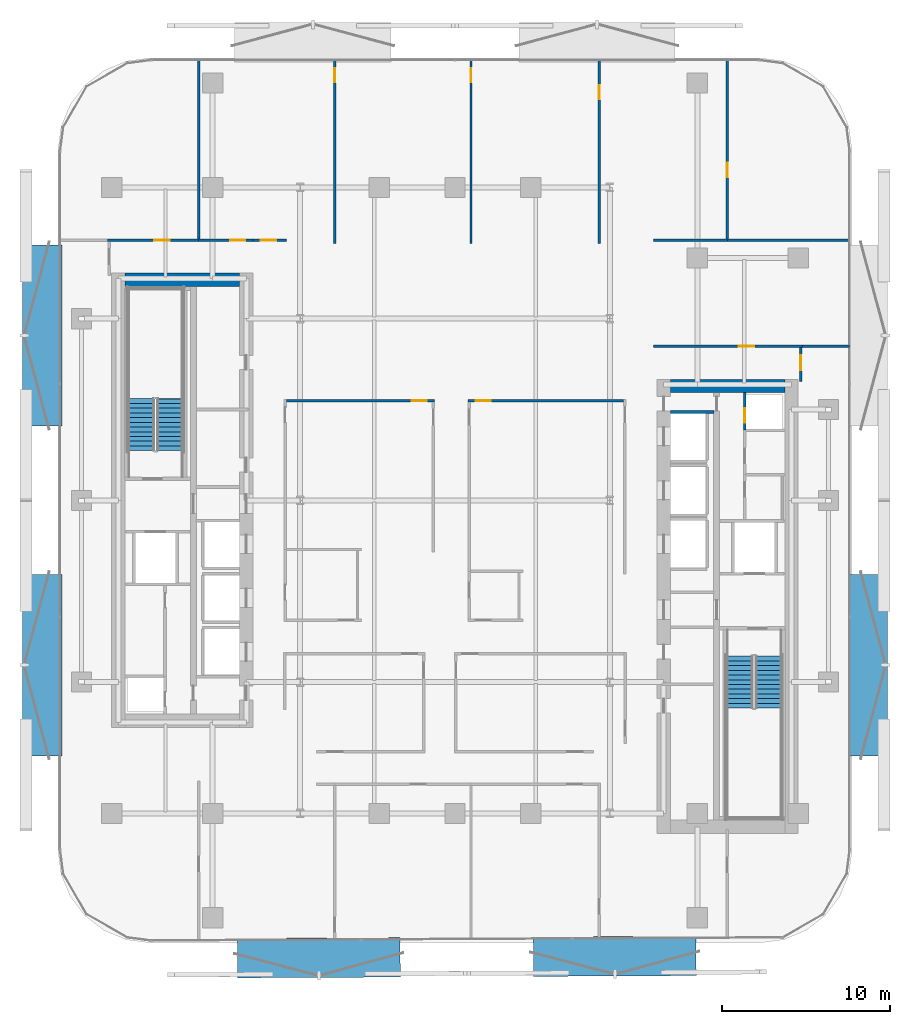
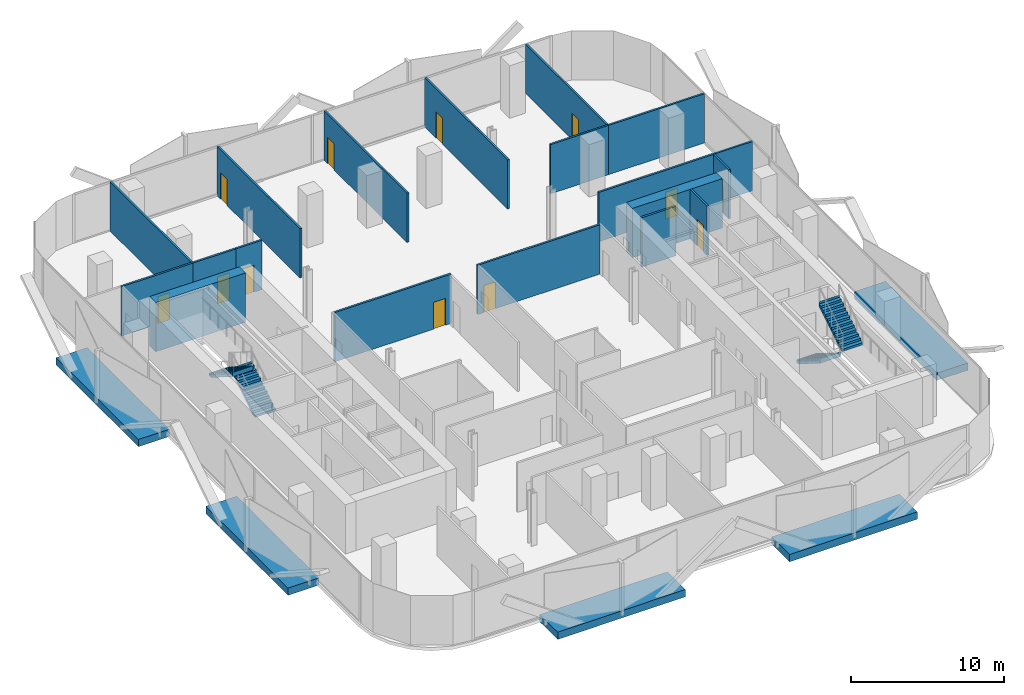
# One storey, part 6 of 16: 19 walls, 12 doors, 5 discrete accessories, 4 stair flights, 12 openings, 2 elements without a shape of their own.
"""IFC4 building model written with IfcOpenShell, lengths in metres."""

from ifc_helpers import new_model, si_unit, direction, frame, frame_2d, origin, origin_2d, place, context, subcontext, project, spatial, polyline, rectangle, outline, extrude, material, layer, layer_set, type_object, element, fill, aggregate, save


model = new_model("IFC4")

# Units and contexts
model_context = context("Model", 3, precision=1e-05, world=origin(), true_north=direction((0.0, 1.0)))
body_context = subcontext(model_context, "Body", "Model", "MODEL_VIEW")
ifc_project = project(units=[si_unit("LENGTHUNIT", "METRE"), si_unit("AREAUNIT", "SQUARE_METRE"), si_unit("VOLUMEUNIT", "CUBIC_METRE"), si_unit("PLANEANGLEUNIT", "RADIAN"), si_unit("MASSUNIT", "GRAM", prefix="KILO")], contexts=[model_context])

# Site, building, storey
site_placement = place(None, origin())
site = spatial("IfcSite", under=ifc_project, at=site_placement, CompositionType="ELEMENT")
building_placement = place(site_placement, origin())
building = spatial("IfcBuilding", under=site, at=building_placement, Name="Khairoan Windgate Tower", CompositionType="ELEMENT")
storey_placement = place(building_placement, frame((0.0, 0.0, 139.39990234375)))
storey = spatial("IfcBuildingStorey", under=building, at=storey_placement, Name="L32", CompositionType="ELEMENT", Elevation=139.39990234375)

# Walls
ifc_material_1 = material(Name="Concrete C40/50", Category="concrete")
ifc_layer_1 = layer(ifc_material_1, 0.159912109375, Name="Concrete C40/50")
ifc_layer_set_1 = layer_set([ifc_layer_1], Name="Concrete C40/50")
wall_type_1 = type_object("IfcWallType", Name="Core and Hoistway Enclosure Wall", PredefinedType="STANDARD", material=ifc_layer_set_1)
wall_1_placement = place(storey_placement, frame((12.800048828125, 5.25, 0.0), z_axis=(0.0, 0.0, 1.0), x_axis=(1.0, 0.0, 0.0)))
element("IfcWall", 1, at=wall_1_placement, inside=storey, type_object=wall_type_1, Name="L32 Core Shaft Wall SW-ESV-L32", PredefinedType="STANDARD", context=body_context, shape_type="SweptSolid", body=[
    extrude(rectangle(XDim=2.599853515625, YDim=0.159912109375, at=frame_2d((1.2998046875, 0.0))), origin(), (0.0, 0.0, 1.0), 3.940185546875),
])
ifc_material_2 = material(Name="Acoustic Fire-Rated Gypsum Partition", Category="gypsum")
ifc_layer_2 = layer(ifc_material_2, 0.139892578125, Name="Acoustic Fire-Rated Gypsum Partition")
ifc_layer_set_2 = layer_set([ifc_layer_2], Name="Acoustic Fire-Rated Gypsum Partition")
wall_type_2 = type_object("IfcWallType", Name="Inter-Tenancy Compartment Wall", PredefinedType="PARTITIONING", material=ifc_layer_set_2)
wall_2_placement = place(storey_placement, frame((20.639892578125, 9.159912109375, 0.0), z_axis=(0.0, 0.0, 1.0), x_axis=(1.0, 0.0, 0.0)))
element("IfcWall", 2, at=wall_2_placement, inside=storey, type_object=wall_type_2, Name="L32 Interior Partition 039", PredefinedType="PARTITIONING", context=body_context, shape_type="SweptSolid", body=[
    extrude(rectangle(XDim=2.815185546875, YDim=0.139892578125, at=frame_2d((1.40771484375, 0.0))), origin(), (0.0, 0.0, 1.0), 3.940185546875),
])
wall_3_placement = place(storey_placement, frame((11.81005859375, 15.4599609375, 0.0), z_axis=(0.0, 0.0, 1.0), x_axis=(1.0, 0.0, 0.0)))
element("IfcWall", 3, at=wall_3_placement, inside=storey, type_object=wall_type_2, Name="L32 Interior Partition 040", PredefinedType="PARTITIONING", context=body_context, shape_type="SweptSolid", body=[
    extrude(rectangle(XDim=4.3740234375, YDim=0.139892578125, at=frame_2d((2.18701171875, 0.0))), origin(), (0.0, 0.0, 1.0), 3.940185546875),
])
wall_4_placement = place(storey_placement, frame((16.18408203125, 15.4599609375, 0.0), z_axis=(0.0, 0.0, 1.0), x_axis=(1.0, 0.0, 0.0)))
element("IfcWall", 4, at=wall_4_placement, inside=storey, type_object=wall_type_2, Name="L32 Interior Partition 041", PredefinedType="PARTITIONING", context=body_context, shape_type="SweptSolid", body=[
    extrude(rectangle(XDim=7.27099609375, YDim=0.139892578125, at=frame_2d((3.635498046875, 0.0))), origin(), (0.0, 0.0, 1.0), 3.940185546875),
])
wall_5_placement = place(storey_placement, frame((-15.23193359375, 15.534912109375, 0.0), z_axis=(0.0, 0.0, 1.0), x_axis=(0.0, 1.0, 0.0)))
element("IfcWall", 5, at=wall_5_placement, inside=storey, type_object=wall_type_2, Name="L32 Interior Partition 042", PredefinedType="PARTITIONING", context=body_context, shape_type="SweptSolid", body=[
    extrude(rectangle(XDim=10.6201171875, YDim=0.139892578125, at=frame_2d((5.31005859375, 0.0))), origin(), (0.0, 0.0, 1.0), 3.940185546875),
])

# Wall, opening, door
wall_6_placement = place(storey_placement, frame((-7.139892578125, 15.280029296875, 0.0), z_axis=(0.0, 0.0, 1.0), x_axis=(0.0, 1.0, 0.0)))
wall_6 = element("IfcWall", 6, at=wall_6_placement, inside=storey, type_object=wall_type_2, Name="L32 Interior Partition 043", PredefinedType="PARTITIONING", context=body_context, shape_type="SweptSolid", body=[
    extrude(rectangle(XDim=10.875, YDim=0.139892578125, at=frame_2d((5.4375, 0.0))), origin(), (0.0, 0.0, 1.0), 3.940185546875),
])
opening_1_placement = place(wall_6_placement, frame((9.56494140625, 0.0, 0.0)))
opening_1 = element("IfcOpeningElement", 7, at=opening_1_placement, cuts=wall_6, Name="Opening FD-SRV", PredefinedType="OPENING", context=body_context, shape_type="SweptSolid", body=[
    extrude(rectangle(XDim=0.85009765625, YDim=2.10009765625, at=frame_2d((0.425048828125, 1.050048828125))), frame((0.0, 0.079833984375, 0.0), z_axis=(0.0, -1.0, 0.0), x_axis=(1.0, 0.0, 0.0)), (0.0, 0.0, 1.0), 0.159912109375),
])
ifc_material_3 = material(Name="Steel S355", Category="steel")
door_type_1 = type_object("IfcDoorType", Name="Core Service and Riser Fire Door FD-SRV 850x2100", OperationType="NOTDEFINED", PredefinedType="DOOR", material=ifc_material_3)
door_1_placement = place(opening_1_placement, origin())
door_1 = element("IfcDoor", 8, at=door_1_placement, inside=storey, type_object=door_type_1, Name="L32 L32-41-L32-42 Door", OperationType="SINGLE_SWING_LEFT", OverallHeight=2.10009765625, OverallWidth=0.85009765625, PredefinedType="DOOR", context=body_context, shape_type="SweptSolid", body=[
    extrude(rectangle(XDim=0.85009765625, YDim=2.10009765625, at=frame_2d((0.425048828125, 1.050048828125))), frame((0.0, 0.02490234375, 0.0), z_axis=(0.0, -1.0, 0.0), x_axis=(1.0, 0.0, 0.0)), (0.0, 0.0, 1.0), 0.050048828125),
])
fill(opening_1, door_1)

wall_7_placement = place(storey_placement, frame((0.951904296875, 15.280029296875, 0.0), z_axis=(0.0, 0.0, 1.0), x_axis=(0.0, 1.0, 0.0)))
wall_7 = element("IfcWall", 9, at=wall_7_placement, inside=storey, type_object=wall_type_2, Name="L32 Interior Partition 044", PredefinedType="PARTITIONING", context=body_context, shape_type="SweptSolid", body=[
    extrude(rectangle(XDim=10.875, YDim=0.139892578125, at=frame_2d((5.4375, 0.0))), origin(), (0.0, 0.0, 1.0), 3.940185546875),
])
opening_2_placement = place(wall_7_placement, frame((9.56494140625, 0.0, 0.0)))
opening_2 = element("IfcOpeningElement", 10, at=opening_2_placement, cuts=wall_7, Name="Opening FD-SRV", PredefinedType="OPENING", context=body_context, shape_type="SweptSolid", body=[
    extrude(rectangle(XDim=0.85009765625, YDim=2.10009765625, at=frame_2d((0.425048828125, 1.050048828125))), frame((0.0, 0.079833984375, 0.0), z_axis=(0.0, -1.0, 0.0), x_axis=(1.0, 0.0, 0.0)), (0.0, 0.0, 1.0), 0.159912109375),
])
door_2_placement = place(opening_2_placement, origin())
door_2 = element("IfcDoor", 11, at=door_2_placement, inside=storey, type_object=door_type_1, Name="L32 L32-42-L32-43 Door", OperationType="SINGLE_SWING_RIGHT", OverallHeight=2.10009765625, OverallWidth=0.85009765625, PredefinedType="DOOR", context=body_context, shape_type="SweptSolid", body=[
    extrude(rectangle(XDim=0.85009765625, YDim=2.10009765625, at=frame_2d((0.425048828125, 1.050048828125))), frame((0.0, 0.02490234375, 0.0), z_axis=(0.0, -1.0, 0.0), x_axis=(1.0, 0.0, 0.0)), (0.0, 0.0, 1.0), 0.050048828125),
])
fill(opening_2, door_2)

wall_8_placement = place(storey_placement, frame((8.568115234375, 15.280029296875, 0.0), z_axis=(0.0, 0.0, 1.0), x_axis=(0.0, 1.0, 0.0)))
wall_8 = element("IfcWall", 12, at=wall_8_placement, inside=storey, type_object=wall_type_2, Name="L32 Interior Partition 045", PredefinedType="PARTITIONING", context=body_context, shape_type="SweptSolid", body=[
    extrude(rectangle(XDim=10.875, YDim=0.139892578125, at=frame_2d((5.4375, 0.0))), origin(), (0.0, 0.0, 1.0), 3.940185546875),
])
opening_3_placement = place(wall_8_placement, frame((8.55322265625, 0.0, 0.0)))
opening_3 = element("IfcOpeningElement", 13, at=opening_3_placement, cuts=wall_8, Name="Opening FD-SRV", PredefinedType="OPENING", context=body_context, shape_type="SweptSolid", body=[
    extrude(rectangle(XDim=0.85009765625, YDim=2.10009765625, at=frame_2d((0.425048828125, 1.050048828125))), frame((0.0, 0.079833984375, 0.0), z_axis=(0.0, -1.0, 0.0), x_axis=(1.0, 0.0, 0.0)), (0.0, 0.0, 1.0), 0.159912109375),
])
door_3_placement = place(opening_3_placement, origin())
door_3 = element("IfcDoor", 14, at=door_3_placement, inside=storey, type_object=door_type_1, Name="L32 L32-43-L32-44 Door", OperationType="SINGLE_SWING_LEFT", OverallHeight=2.10009765625, OverallWidth=0.85009765625, PredefinedType="DOOR", context=body_context, shape_type="SweptSolid", body=[
    extrude(rectangle(XDim=0.85009765625, YDim=2.10009765625, at=frame_2d((0.425048828125, 1.050048828125))), frame((0.0, 0.02490234375, 0.0), z_axis=(0.0, -1.0, 0.0), x_axis=(1.0, 0.0, 0.0)), (0.0, 0.0, 1.0), 0.050048828125),
])
fill(opening_3, door_3)

wall_9_placement = place(storey_placement, frame((16.18408203125, 15.530029296875, 0.0), z_axis=(0.0, 0.0, 1.0), x_axis=(0.0, 1.0, 0.0)))
wall_9 = element("IfcWall", 15, at=wall_9_placement, inside=storey, type_object=wall_type_2, Name="L32 Interior Partition 046", PredefinedType="PARTITIONING", context=body_context, shape_type="SweptSolid", body=[
    extrude(rectangle(XDim=10.625, YDim=0.139892578125, at=frame_2d((5.3125, 0.0))), origin(), (0.0, 0.0, 1.0), 3.940185546875),
])
opening_4_placement = place(wall_9_placement, frame((3.679931640625, 0.0, 0.0)))
opening_4 = element("IfcOpeningElement", 16, at=opening_4_placement, cuts=wall_9, Name="Opening FD-SRV", PredefinedType="OPENING", context=body_context, shape_type="SweptSolid", body=[
    extrude(rectangle(XDim=0.85009765625, YDim=2.10009765625, at=frame_2d((0.425048828125, 1.050048828125))), frame((0.0, 0.079833984375, 0.0), z_axis=(0.0, -1.0, 0.0), x_axis=(1.0, 0.0, 0.0)), (0.0, 0.0, 1.0), 0.159912109375),
])
door_4_placement = place(opening_4_placement, origin())
door_4 = element("IfcDoor", 17, at=door_4_placement, inside=storey, type_object=door_type_1, Name="L32 L32-44-L32-45 Door", OperationType="SINGLE_SWING_RIGHT", OverallHeight=2.10009765625, OverallWidth=0.85009765625, PredefinedType="DOOR", context=body_context, shape_type="SweptSolid", body=[
    extrude(rectangle(XDim=0.85009765625, YDim=2.10009765625, at=frame_2d((0.425048828125, 1.050048828125))), frame((0.0, 0.02490234375, 0.0), z_axis=(0.0, -1.0, 0.0), x_axis=(1.0, 0.0, 0.0)), (0.0, 0.0, 1.0), 0.050048828125),
])
fill(opening_4, door_4)

ifc_material_4 = material(Name="Concrete C40/50", Category="concrete")
ifc_layer_3 = layer(ifc_material_4, 0.159912109375, Name="Concrete C40/50")
ifc_layer_set_3 = layer_set([ifc_layer_3], Name="Concrete C40/50")
wall_type_3 = type_object("IfcWallType", Name="Plant and Refuge Compartment Wall", PredefinedType="PARTITIONING", material=ifc_layer_set_3)
wall_10_placement = place(storey_placement, frame((17.22998046875, 4.169921875, 0.0), z_axis=(0.0, 0.0, 1.0), x_axis=(0.0, 1.0, 0.0)))
wall_10 = element("IfcWall", 18, at=wall_10_placement, inside=storey, type_object=wall_type_3, Name="L32 Interior Partition 005", PredefinedType="PARTITIONING", context=body_context, shape_type="SweptSolid", body=[
    extrude(rectangle(XDim=2.22998046875, YDim=0.159912109375, at=frame_2d((1.114990234375, 0.0))), origin(), (0.0, 0.0, 1.0), 3.940185546875),
])
opening_5_placement = place(wall_10_placement, frame((0.4599609375, 0.0, 0.0)))
opening_5 = element("IfcOpeningElement", 19, at=opening_5_placement, cuts=wall_10, Name="Opening FD-SRV", PredefinedType="OPENING", context=body_context, shape_type="SweptSolid", body=[
    extrude(rectangle(XDim=0.85009765625, YDim=2.10009765625, at=frame_2d((0.425048828125, 1.050048828125))), frame((0.0, 0.08984375, 0.0), z_axis=(0.0, -1.0, 0.0), x_axis=(1.0, 0.0, 0.0)), (0.0, 0.0, 1.0), 0.179931640625),
])
door_5_placement = place(opening_5_placement, origin())
door_5 = element("IfcDoor", 20, at=door_5_placement, inside=storey, type_object=door_type_1, Name="L32 L32-17-L32-18 Door", OperationType="SINGLE_SWING_LEFT", OverallHeight=2.10009765625, OverallWidth=0.85009765625, PredefinedType="DOOR", context=body_context, shape_type="SweptSolid", body=[
    extrude(rectangle(XDim=0.85009765625, YDim=2.10009765625, at=frame_2d((0.425048828125, 1.050048828125))), frame((0.0, 0.02490234375, 0.0), z_axis=(0.0, -1.0, 0.0), x_axis=(1.0, 0.0, 0.0)), (0.0, 0.0, 1.0), 0.050048828125),
])
fill(opening_5, door_5)

ifc_material_5 = material(Name="Acoustic Fire-Rated Gypsum Partition", Category="gypsum")
ifc_layer_4 = layer(ifc_material_5, 0.14990234375, Name="Acoustic Fire-Rated Gypsum Partition")
ifc_layer_set_4 = layer_set([ifc_layer_4], Name="Acoustic Fire-Rated Gypsum Partition")
wall_type_4 = type_object("IfcWallType", Name="Rated Corridor Partition Wall", PredefinedType="PARTITIONING", material=ifc_layer_set_4)
wall_11_placement = place(storey_placement, frame((-11.989990234375, 15.4599609375, 0.0), z_axis=(0.0, 0.0, 1.0), x_axis=(1.0, 0.0, 0.0)))
wall_11 = element("IfcWall", 21, at=wall_11_placement, inside=storey, type_object=wall_type_4, Name="L32 Interior Partition 011", PredefinedType="PARTITIONING", context=body_context, shape_type="SweptSolid", body=[
    extrude(rectangle(XDim=1.97998046875, YDim=0.14990234375, at=frame_2d((0.989990234375, 0.0))), origin(), (0.0, 0.0, 1.0), 3.940185546875),
])
opening_6_placement = place(wall_11_placement, frame((0.4599609375, 0.0, 0.0)))
opening_6 = element("IfcOpeningElement", 22, at=opening_6_placement, cuts=wall_11, Name="Opening FD-ENT", PredefinedType="OPENING", context=body_context, shape_type="SweptSolid", body=[
    extrude(rectangle(XDim=0.89990234375, YDim=2.14990234375, at=frame_2d((0.449951171875, 1.074951171875))), frame((0.0, 0.0849609375, 0.0), z_axis=(0.0, -1.0, 0.0), x_axis=(1.0, 0.0, 0.0)), (0.0, 0.0, 1.0), 0.169921875),
])
ifc_material_6 = material(Name="Timber Fire-Rated Core", Category="wood")
door_type_2 = type_object("IfcDoorType", Name="Unit and Office Fire Entrance Door FD-ENT 900x2150", OperationType="NOTDEFINED", PredefinedType="DOOR", material=ifc_material_6)
door_6_placement = place(opening_6_placement, origin())
door_6 = element("IfcDoor", 23, at=door_6_placement, inside=storey, type_object=door_type_2, Name="L32 L32-28-L32-41 Door", OperationType="SINGLE_SWING_RIGHT", OverallHeight=2.14990234375, OverallWidth=0.89990234375, PredefinedType="DOOR", context=body_context, shape_type="SweptSolid", body=[
    extrude(rectangle(XDim=0.89990234375, YDim=2.14990234375, at=frame_2d((0.449951171875, 1.074951171875))), frame((0.0, 0.02490234375, 0.0), z_axis=(0.0, -1.0, 0.0), x_axis=(1.0, 0.0, 0.0)), (0.0, 0.0, 1.0), 0.050048828125),
])
fill(opening_6, door_6)

wall_12_placement = place(storey_placement, frame((0.780029296875, 5.919921875, 0.0), z_axis=(0.0, 0.0, 1.0), x_axis=(1.0, 0.0, 0.0)))
wall_12 = element("IfcWall", 24, at=wall_12_placement, inside=storey, type_object=wall_type_4, Name="L32 Interior Partition 017", PredefinedType="PARTITIONING", context=body_context, shape_type="SweptSolid", body=[
    extrude(rectangle(XDim=9.244873046875, YDim=0.14990234375, at=frame_2d((4.62255859375, 0.0))), origin(), (0.0, 0.0, 1.0), 3.940185546875),
])
opening_7_placement = place(wall_12_placement, frame((0.4599609375, 0.0, 0.0)))
opening_7 = element("IfcOpeningElement", 25, at=opening_7_placement, cuts=wall_12, Name="Opening FD-ENT", PredefinedType="OPENING", context=body_context, shape_type="SweptSolid", body=[
    extrude(rectangle(XDim=0.89990234375, YDim=2.14990234375, at=frame_2d((0.449951171875, 1.074951171875))), frame((0.0, 0.0849609375, 0.0), z_axis=(0.0, -1.0, 0.0), x_axis=(1.0, 0.0, 0.0)), (0.0, 0.0, 1.0), 0.169921875),
])
door_7_placement = place(opening_7_placement, origin())
door_7 = element("IfcDoor", 26, at=door_7_placement, inside=storey, type_object=door_type_2, Name="L32 L32-30-L32-53 Door", OperationType="SINGLE_SWING_RIGHT", OverallHeight=2.14990234375, OverallWidth=0.89990234375, PredefinedType="DOOR", context=body_context, shape_type="SweptSolid", body=[
    extrude(rectangle(XDim=0.89990234375, YDim=2.14990234375, at=frame_2d((0.449951171875, 1.074951171875))), frame((0.0, 0.02490234375, 0.0), z_axis=(0.0, -1.0, 0.0), x_axis=(1.0, 0.0, 0.0)), (0.0, 0.0, 1.0), 0.050048828125),
])
fill(opening_7, door_7)

wall_13_placement = place(storey_placement, frame((-10.02490234375, 5.919921875, 0.0), z_axis=(0.0, 0.0, 1.0), x_axis=(1.0, 0.0, 0.0)))
wall_13 = element("IfcWall", 27, at=wall_13_placement, inside=storey, type_object=wall_type_4, Name="L32 Interior Partition 018", PredefinedType="PARTITIONING", context=body_context, shape_type="SweptSolid", body=[
    extrude(rectangle(XDim=8.81982421875, YDim=0.14990234375, at=frame_2d((4.409912109375, 0.0))), origin(), (0.0, 0.0, 1.0), 3.940185546875),
])
opening_8_placement = place(wall_13_placement, frame((7.4599609375, 0.0, 0.0)))
opening_8 = element("IfcOpeningElement", 28, at=opening_8_placement, cuts=wall_13, Name="Opening FD-ENT", PredefinedType="OPENING", context=body_context, shape_type="SweptSolid", body=[
    extrude(rectangle(XDim=0.89990234375, YDim=2.14990234375, at=frame_2d((0.449951171875, 1.074951171875))), frame((0.0, 0.0849609375, 0.0), z_axis=(0.0, -1.0, 0.0), x_axis=(1.0, 0.0, 0.0)), (0.0, 0.0, 1.0), 0.169921875),
])
door_8_placement = place(opening_8_placement, origin())
door_8 = element("IfcDoor", 29, at=door_8_placement, inside=storey, type_object=door_type_2, Name="L32 L32-30-L32-55 Door", OperationType="SINGLE_SWING_LEFT", OverallHeight=2.14990234375, OverallWidth=0.89990234375, PredefinedType="DOOR", context=body_context, shape_type="SweptSolid", body=[
    extrude(rectangle(XDim=0.89990234375, YDim=2.14990234375, at=frame_2d((0.449951171875, 1.074951171875))), frame((0.0, 0.02490234375, 0.0), z_axis=(0.0, -1.0, 0.0), x_axis=(1.0, 0.0, 0.0)), (0.0, 0.0, 1.0), 0.050048828125),
])
fill(opening_8, door_8)

wall_14_placement = place(storey_placement, frame((-20.639892578125, 15.4599609375, 0.0), z_axis=(0.0, 0.0, 1.0), x_axis=(1.0, 0.0, 0.0)))
wall_14 = element("IfcWall", 30, at=wall_14_placement, inside=storey, type_object=wall_type_4, Name="L32 Interior Partition 027", PredefinedType="PARTITIONING", context=body_context, shape_type="SweptSolid", body=[
    extrude(rectangle(XDim=5.407958984375, YDim=0.14990234375, at=frame_2d((2.7041015625, 0.0))), origin(), (0.0, 0.0, 1.0), 3.940185546875),
])
opening_9_placement = place(wall_14_placement, frame((2.781494140625, 0.0, 0.0)))
opening_9 = element("IfcOpeningElement", 31, at=opening_9_placement, cuts=wall_14, Name="Opening FD-ENT", PredefinedType="OPENING", context=body_context, shape_type="SweptSolid", body=[
    extrude(rectangle(XDim=0.89990234375, YDim=2.14990234375, at=frame_2d((0.449951171875, 1.074951171875))), frame((0.0, 0.0849609375, 0.0), z_axis=(0.0, -1.0, 0.0), x_axis=(1.0, 0.0, 0.0)), (0.0, 0.0, 1.0), 0.169921875),
])
door_9_placement = place(opening_9_placement, origin())
door_9 = element("IfcDoor", 32, at=door_9_placement, inside=storey, type_object=door_type_2, Name="L32 L32-33-L32-40 Door", OperationType="SINGLE_SWING_RIGHT", OverallHeight=2.14990234375, OverallWidth=0.89990234375, PredefinedType="DOOR", context=body_context, shape_type="SweptSolid", body=[
    extrude(rectangle(XDim=0.89990234375, YDim=2.14990234375, at=frame_2d((0.449951171875, 1.074951171875))), frame((0.0, 0.02490234375, 0.0), z_axis=(0.0, -1.0, 0.0), x_axis=(1.0, 0.0, 0.0)), (0.0, 0.0, 1.0), 0.050048828125),
])
fill(opening_9, door_9)

wall_15_placement = place(storey_placement, frame((-15.23193359375, 15.4599609375, 0.0), z_axis=(0.0, 0.0, 1.0), x_axis=(1.0, 0.0, 0.0)))
wall_15 = element("IfcWall", 33, at=wall_15_placement, inside=storey, type_object=wall_type_4, Name="L32 Interior Partition 028", PredefinedType="PARTITIONING", context=body_context, shape_type="SweptSolid", body=[
    extrude(rectangle(XDim=3.241943359375, YDim=0.14990234375, at=frame_2d((1.62109375, 0.0))), origin(), (0.0, 0.0, 1.0), 3.940185546875),
])
opening_10_placement = place(wall_15_placement, frame((1.882080078125, 0.0, 0.0)))
opening_10 = element("IfcOpeningElement", 34, at=opening_10_placement, cuts=wall_15, Name="Opening FD-ENT", PredefinedType="OPENING", context=body_context, shape_type="SweptSolid", body=[
    extrude(rectangle(XDim=0.89990234375, YDim=2.14990234375, at=frame_2d((0.449951171875, 1.074951171875))), frame((0.0, 0.0849609375, 0.0), z_axis=(0.0, -1.0, 0.0), x_axis=(1.0, 0.0, 0.0)), (0.0, 0.0, 1.0), 0.169921875),
])
door_10_placement = place(opening_10_placement, origin())
door_10 = element("IfcDoor", 35, at=door_10_placement, inside=storey, type_object=door_type_2, Name="L32 L32-33-L32-41 Door", OperationType="SINGLE_SWING_LEFT", OverallHeight=2.14990234375, OverallWidth=0.89990234375, PredefinedType="DOOR", context=body_context, shape_type="SweptSolid", body=[
    extrude(rectangle(XDim=0.89990234375, YDim=2.14990234375, at=frame_2d((0.449951171875, 1.074951171875))), frame((0.0, 0.02490234375, 0.0), z_axis=(0.0, -1.0, 0.0), x_axis=(1.0, 0.0, 0.0)), (0.0, 0.0, 1.0), 0.050048828125),
])
fill(opening_10, door_10)

wall_16_placement = place(storey_placement, frame((20.5400390625, 7.06005859375, 0.0), z_axis=(0.0, 0.0, 1.0), x_axis=(0.0, 1.0, 0.0)))
wall_16 = element("IfcWall", 36, at=wall_16_placement, inside=storey, type_object=wall_type_4, Name="L32 Interior Partition 029", PredefinedType="PARTITIONING", context=body_context, shape_type="SweptSolid", body=[
    extrude(rectangle(XDim=2.02490234375, YDim=0.14990234375, at=frame_2d((1.012451171875, 0.0))), origin(), (0.0, 0.0, 1.0), 3.940185546875),
])
opening_11_placement = place(wall_16_placement, frame((0.6650390625, 0.0, 0.0)))
opening_11 = element("IfcOpeningElement", 37, at=opening_11_placement, cuts=wall_16, Name="Opening FD-ENT", PredefinedType="OPENING", context=body_context, shape_type="SweptSolid", body=[
    extrude(rectangle(XDim=0.89990234375, YDim=2.14990234375, at=frame_2d((0.449951171875, 1.074951171875))), frame((0.0, 0.0849609375, 0.0), z_axis=(0.0, -1.0, 0.0), x_axis=(1.0, 0.0, 0.0)), (0.0, 0.0, 1.0), 0.169921875),
])
door_11_placement = place(opening_11_placement, origin())
door_11 = element("IfcDoor", 38, at=door_11_placement, inside=storey, type_object=door_type_2, Name="L32 L32-34-L32-38 Door", OperationType="SINGLE_SWING_RIGHT", OverallHeight=2.14990234375, OverallWidth=0.89990234375, PredefinedType="DOOR", context=body_context, shape_type="SweptSolid", body=[
    extrude(rectangle(XDim=0.89990234375, YDim=2.14990234375, at=frame_2d((0.449951171875, 1.074951171875))), frame((0.0, 0.02490234375, 0.0), z_axis=(0.0, -1.0, 0.0), x_axis=(1.0, 0.0, 0.0)), (0.0, 0.0, 1.0), 0.050048828125),
])
fill(opening_11, door_11)

wall_17_placement = place(storey_placement, frame((11.81005859375, 9.159912109375, 0.0), z_axis=(0.0, 0.0, 1.0), x_axis=(1.0, 0.0, 0.0)))
wall_17 = element("IfcWall", 39, at=wall_17_placement, inside=storey, type_object=wall_type_4, Name="L32 Interior Partition 030", PredefinedType="PARTITIONING", context=body_context, shape_type="SweptSolid", body=[
    extrude(rectangle(XDim=8.829833984375, YDim=0.14990234375, at=frame_2d((4.4150390625, 0.0))), origin(), (0.0, 0.0, 1.0), 3.940185546875),
])
opening_12_placement = place(wall_17_placement, frame((5.066650390625, 0.0, 0.0)))
opening_12 = element("IfcOpeningElement", 40, at=opening_12_placement, cuts=wall_17, Name="Opening FD-ENT", PredefinedType="OPENING", context=body_context, shape_type="SweptSolid", body=[
    extrude(rectangle(XDim=0.89990234375, YDim=2.14990234375, at=frame_2d((0.449951171875, 1.074951171875))), frame((0.0, 0.0849609375, 0.0), z_axis=(0.0, -1.0, 0.0), x_axis=(1.0, 0.0, 0.0)), (0.0, 0.0, 1.0), 0.169921875),
])
door_12_placement = place(opening_12_placement, origin())
door_12 = element("IfcDoor", 41, at=door_12_placement, inside=storey, type_object=door_type_2, Name="L32 L32-34-L32-39 Door", OperationType="SINGLE_SWING_LEFT", OverallHeight=2.14990234375, OverallWidth=0.89990234375, PredefinedType="DOOR", context=body_context, shape_type="SweptSolid", body=[
    extrude(rectangle(XDim=0.89990234375, YDim=2.14990234375, at=frame_2d((0.449951171875, 1.074951171875))), frame((0.0, 0.02490234375, 0.0), z_axis=(0.0, -1.0, 0.0), x_axis=(1.0, 0.0, 0.0)), (0.0, 0.0, 1.0), 0.050048828125),
])
fill(opening_12, door_12)

# Walls
ifc_material_7 = material(Name="Concrete C70/85", Category="concrete")
ifc_layer_5 = layer(ifc_material_7, 0.800048828125, Name="Concrete C70/85")
ifc_layer_set_5 = layer_set([ifc_layer_5], Name="Concrete C70/85")
wall_type_5 = type_object("IfcWallType", Name="Shear Wall CW-E1 800mm", PredefinedType="SHEAR", material=ifc_layer_set_5)
wall_18_placement = place(storey_placement, frame((12.800048828125, 6.800048828125, 0.0), z_axis=(0.0, 0.0, 1.0), x_axis=(1.0, 0.0, 0.0)))
element("IfcWall", 42, at=wall_18_placement, inside=storey, type_object=wall_type_5, Name="E Core North Shear Wall L32", PredefinedType="SHEAR", context=body_context, shape_type="SweptSolid", body=[
    extrude(rectangle(XDim=6.800048828125, YDim=0.800048828125, at=frame_2d((3.39990234375, 0.0))), origin(), (0.0, 0.0, 1.0), 3.940185546875),
])
ifc_material_8 = material(Name="Concrete C70/85", Category="concrete")
ifc_layer_6 = layer(ifc_material_8, 0.800048828125, Name="Concrete C70/85")
ifc_layer_set_6 = layer_set([ifc_layer_6], Name="Concrete C70/85")
wall_type_6 = type_object("IfcWallType", Name="Shear Wall CW-W1 800mm", PredefinedType="SHEAR", material=ifc_layer_set_6)
wall_19_placement = place(storey_placement, frame((-19.60009765625, 13.10009765625, 0.0), z_axis=(0.0, 0.0, 1.0), x_axis=(1.0, 0.0, 0.0)))
element("IfcWall", 43, at=wall_19_placement, inside=storey, type_object=wall_type_6, Name="W Core North Shear Wall L32", PredefinedType="SHEAR", context=body_context, shape_type="SweptSolid", body=[
    extrude(rectangle(XDim=6.800048828125, YDim=0.800048828125, at=frame_2d((3.39990234375, 0.0))), origin(), (0.0, 0.0, 1.0), 3.940185546875),
])

# Stair, stair flights
ifc_material_9 = material(Name="Concrete C40/50", Category="concrete")
stair_type = type_object("IfcStairType", Name="Tower Core Dog-Leg Stair ST-T1 1560mm", PredefinedType="HALF_TURN_STAIR", material=ifc_material_9)
stair_1_placement = place(storey_placement, origin())
stair_1 = element("IfcStair", 44, at=stair_1_placement, inside=storey, type_object=stair_type, Name="L32 Stair ST1", PredefinedType="HALF_TURN_STAIR")
ifc_material_10 = material(Name="Concrete C40/50", Category="concrete")
ifc_layer_7 = layer(ifc_material_10, 0.14990234375, Name="Concrete C40/50")
ifc_layer_set_7 = layer_set([ifc_layer_7], Name="Concrete C40/50")
stair_flight_type = type_object("IfcStairFlightType", Name="Tower Core Stair Flight STF-1560", PredefinedType="STRAIGHT", material=ifc_layer_set_7)
stair_flight_1_placement = place(storey_placement, frame((16.929931640625, -9.260009765625, 0.0), z_axis=(0.0, 0.0, 1.0), x_axis=(0.0, -1.0, 0.0)))
stair_flight_1 = element("IfcStairFlight", 45, at=stair_flight_1_placement, type_object=stair_flight_type, Name="ST1 flight 1", NumberOfRisers=12, NumberOfTreads=11, PredefinedType="STRAIGHT", RiserHeight=0.175, TreadLength=0.28, context=body_context, shape_type="SweptSolid", body=[
    extrude(outline(polyline([(-0.00390625, 0.0), (-0.00390625, 0.175048828125), (0.0, 0.175048828125), (0.280029296875, 0.175048828125), (0.280029296875, 0.35009765625), (0.56005859375, 0.35009765625), (0.56005859375, 0.52490234375), (0.840087890625, 0.52490234375), (0.840087890625, 0.699951171875), (1.1201171875, 0.699951171875), (1.1201171875, 0.875), (1.39990234375, 0.875), (1.39990234375, 1.050048828125), (1.679931640625, 1.050048828125), (1.679931640625, 1.22509765625), (1.9599609375, 1.22509765625), (1.9599609375, 1.39990234375), (2.239990234375, 1.39990234375), (2.239990234375, 1.574951171875), (2.52001953125, 1.574951171875), (2.52001953125, 1.75), (2.800048828125, 1.75), (2.800048828125, 1.925048828125), (3.080078125, 1.925048828125), (3.080078125, 2.10009765625), (3.083984375, 2.10009765625), (3.083984375, 1.748291015625), (0.28271484375, 0.0), (-0.00390625, 0.0)])), frame((0.0, 0.780029296875, 0.0), z_axis=(0.0, -1.0, 0.0), x_axis=(1.0, 0.0, 0.0)), (0.0, 0.0, 1.0), 1.56005859375),
])
stair_flight_2_placement = place(storey_placement, frame((18.639892578125, -12.340087890625, 2.10009765625), z_axis=(0.0, 0.0, 1.0), x_axis=(0.0, 1.0, 0.0)))
stair_flight_2 = element("IfcStairFlight", 46, at=stair_flight_2_placement, type_object=stair_flight_type, Name="ST1 flight 2", NumberOfRisers=12, NumberOfTreads=11, PredefinedType="STRAIGHT", RiserHeight=0.175, TreadLength=0.28, context=body_context, shape_type="SweptSolid", body=[
    extrude(outline(polyline([(-0.00390625, 0.0), (-0.00390625, 0.175048828125), (0.0, 0.175048828125), (0.280029296875, 0.175048828125), (0.280029296875, 0.35009765625), (0.56005859375, 0.35009765625), (0.56005859375, 0.52490234375), (0.840087890625, 0.52490234375), (0.840087890625, 0.699951171875), (1.1201171875, 0.699951171875), (1.1201171875, 0.875), (1.39990234375, 0.875), (1.39990234375, 1.050048828125), (1.679931640625, 1.050048828125), (1.679931640625, 1.22509765625), (1.9599609375, 1.22509765625), (1.9599609375, 1.39990234375), (2.239990234375, 1.39990234375), (2.239990234375, 1.574951171875), (2.52001953125, 1.574951171875), (2.52001953125, 1.75), (2.800048828125, 1.75), (2.800048828125, 1.925048828125), (3.080078125, 1.925048828125), (3.080078125, 2.10009765625), (3.083984375, 2.10009765625), (3.083984375, 1.748291015625), (0.28271484375, 0.0), (-0.00390625, 0.0)])), frame((0.0, 0.780029296875, 0.0), z_axis=(0.0, -1.0, 0.0), x_axis=(1.0, 0.0, 0.0)), (0.0, 0.0, 1.0), 1.56005859375),
])
aggregate(stair_1, [stair_flight_1, stair_flight_2])

stair_2_placement = place(storey_placement, origin())
stair_2 = element("IfcStair", 47, at=stair_2_placement, inside=storey, type_object=stair_type, Name="L32 Stair ST2", PredefinedType="HALF_TURN_STAIR")
stair_flight_3_placement = place(storey_placement, frame((-16.929931640625, 2.9599609375, 0.0), z_axis=(0.0, 0.0, 1.0), x_axis=(0.0, 1.0, 0.0)))
stair_flight_3 = element("IfcStairFlight", 48, at=stair_flight_3_placement, type_object=stair_flight_type, Name="ST2 flight 1", NumberOfRisers=12, NumberOfTreads=11, PredefinedType="STRAIGHT", RiserHeight=0.175, TreadLength=0.28, context=body_context, shape_type="SweptSolid", body=[
    extrude(outline(polyline([(-0.00390625, 0.0), (-0.00390625, 0.175048828125), (0.0, 0.175048828125), (0.280029296875, 0.175048828125), (0.280029296875, 0.35009765625), (0.56005859375, 0.35009765625), (0.56005859375, 0.52490234375), (0.840087890625, 0.52490234375), (0.840087890625, 0.699951171875), (1.1201171875, 0.699951171875), (1.1201171875, 0.875), (1.39990234375, 0.875), (1.39990234375, 1.050048828125), (1.679931640625, 1.050048828125), (1.679931640625, 1.22509765625), (1.9599609375, 1.22509765625), (1.9599609375, 1.39990234375), (2.239990234375, 1.39990234375), (2.239990234375, 1.574951171875), (2.52001953125, 1.574951171875), (2.52001953125, 1.75), (2.800048828125, 1.75), (2.800048828125, 1.925048828125), (3.080078125, 1.925048828125), (3.080078125, 2.10009765625), (3.083984375, 2.10009765625), (3.083984375, 1.748291015625), (0.28271484375, 0.0), (-0.00390625, 0.0)])), frame((0.0, 0.780029296875, 0.0), z_axis=(0.0, -1.0, 0.0), x_axis=(1.0, 0.0, 0.0)), (0.0, 0.0, 1.0), 1.56005859375),
])
stair_flight_4_placement = place(storey_placement, frame((-18.639892578125, 6.0400390625, 2.10009765625), z_axis=(0.0, 0.0, 1.0), x_axis=(0.0, -1.0, 0.0)))
stair_flight_4 = element("IfcStairFlight", 49, at=stair_flight_4_placement, type_object=stair_flight_type, Name="ST2 flight 2", NumberOfRisers=12, NumberOfTreads=11, PredefinedType="STRAIGHT", RiserHeight=0.175, TreadLength=0.28, context=body_context, shape_type="SweptSolid", body=[
    extrude(outline(polyline([(-0.00390625, 0.0), (-0.00390625, 0.175048828125), (0.0, 0.175048828125), (0.280029296875, 0.175048828125), (0.280029296875, 0.35009765625), (0.56005859375, 0.35009765625), (0.56005859375, 0.52490234375), (0.840087890625, 0.52490234375), (0.840087890625, 0.699951171875), (1.1201171875, 0.699951171875), (1.1201171875, 0.875), (1.39990234375, 0.875), (1.39990234375, 1.050048828125), (1.679931640625, 1.050048828125), (1.679931640625, 1.22509765625), (1.9599609375, 1.22509765625), (1.9599609375, 1.39990234375), (2.239990234375, 1.39990234375), (2.239990234375, 1.574951171875), (2.52001953125, 1.574951171875), (2.52001953125, 1.75), (2.800048828125, 1.75), (2.800048828125, 1.925048828125), (3.080078125, 1.925048828125), (3.080078125, 2.10009765625), (3.083984375, 2.10009765625), (3.083984375, 1.748291015625), (0.28271484375, 0.0), (-0.00390625, 0.0)])), frame((0.0, 0.780029296875, 0.0), z_axis=(0.0, -1.0, 0.0), x_axis=(1.0, 0.0, 0.0)), (0.0, 0.0, 1.0), 1.56005859375),
])
aggregate(stair_2, [stair_flight_3, stair_flight_4])

# Discrete accessories
ifc_material_11 = material(Name="Steel S355", Category="steel")
discrete_accessory_type = type_object("IfcDiscreteAccessoryType", Name="Solar Screen Outrigger Slab Bracket SSB-1", PredefinedType="BRACKET", material=ifc_material_11)
for number, where, z_axis, x_axis, name in (
    (50, (9.497802734375, -27.09521484375, -0.419921875), (0.0, 0.0, 1.0), (-0.999988059021, -0.004886902454, 0.0), "L32 Solar Screen Outrigger Bracket 201"),
    (51, (-8.091064453125, -27.18115234375, -0.419921875), (0.0, 0.0, 1.0), (-0.999988059021, -0.004886902454, 0.0), "L32 Solar Screen Outrigger Bracket 202"),
):
    element("IfcDiscreteAccessory", number, at=place(storey_placement, frame(where, z_axis=z_axis, x_axis=x_axis)), inside=storey, type_object=discrete_accessory_type, Name=name, PredefinedType="BRACKET", context=body_context, shape_type="SweptSolid", body=[
        extrude(rectangle(XDim=9.674072265625, YDim=2.340087890625, at=origin_2d()), origin(), (0.0, 0.0, 1.0), 0.580078125),
    ])
for number, where, z_axis, x_axis, name in (
    (52, (-24.530029296875, -9.79541015625, -0.419921875), (0.0, 0.0, 1.0), (0.0, 1.0, 0.0), "L32 Solar Screen Outrigger Bracket 203"),
    (53, (-24.530029296875, 9.79541015625, -0.419921875), (0.0, 0.0, 1.0), (0.0, 1.0, 0.0), "L32 Solar Screen Outrigger Bracket 204"),
    (54, (24.530029296875, -9.79541015625, -0.419921875), (0.0, 0.0, 1.0), (0.0, -1.0, 0.0), "L32 Solar Screen Outrigger Bracket 208"),
):
    element("IfcDiscreteAccessory", number, at=place(storey_placement, frame(where, z_axis=z_axis, x_axis=x_axis)), inside=storey, type_object=discrete_accessory_type, Name=name, PredefinedType="BRACKET", context=body_context, shape_type="SweptSolid", body=[
        extrude(rectangle(XDim=10.77490234375, YDim=2.340087890625, at=origin_2d()), origin(), (0.0, 0.0, 1.0), 0.580078125),
    ])

save(model, "model.ifc")
